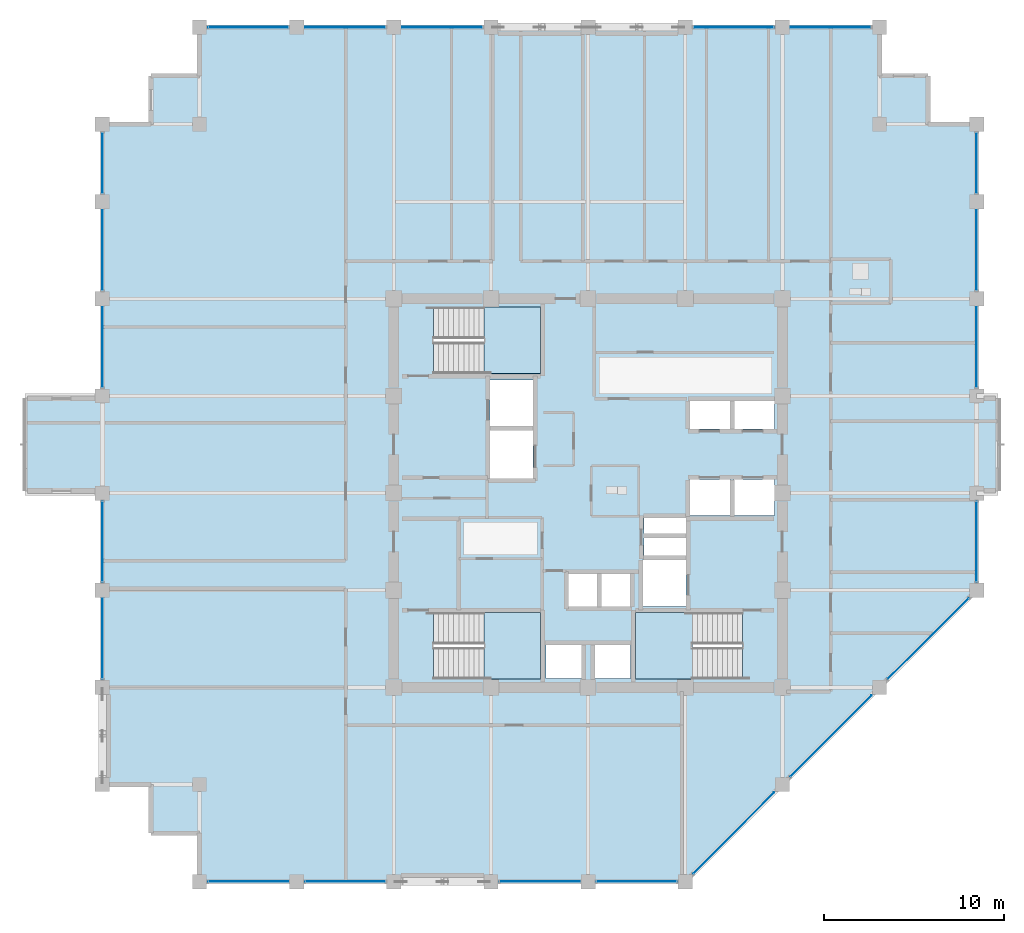
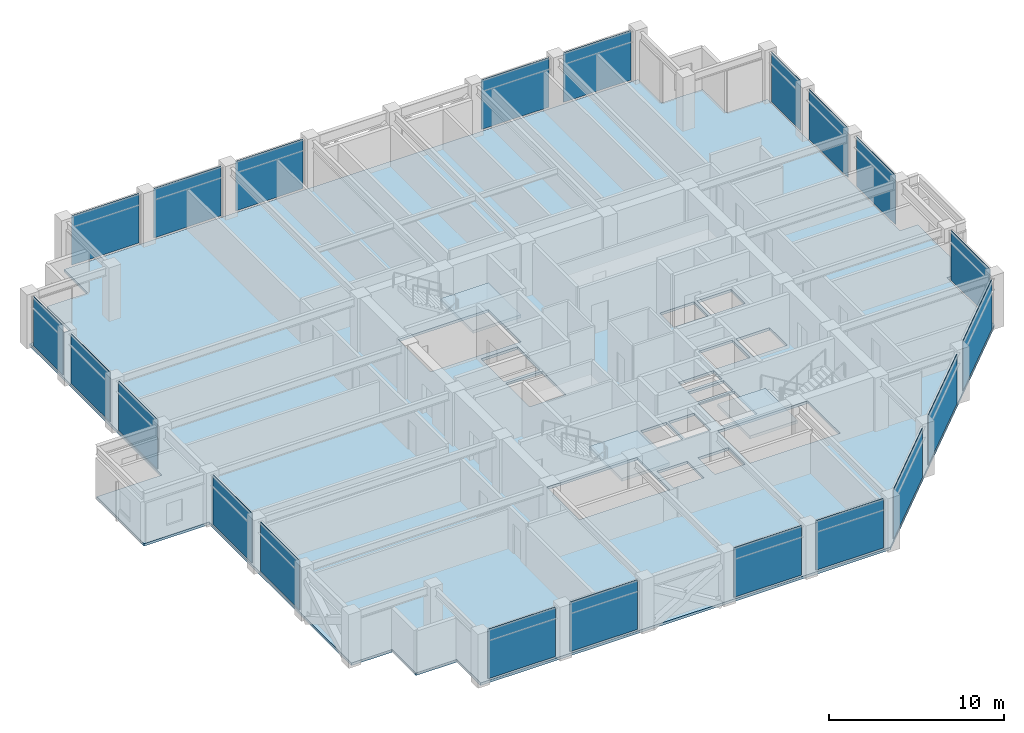
# One storey, part 21 of 28: 21 plates, 4 slabs, 12 elements without a shape of their own.
"""IFC4 building model written with IfcOpenShell, lengths in metres."""

from ifc_helpers import new_model, si_unit, direction, frame, frame_2d, origin, place, context, subcontext, project, spatial, polyline, rectangle, outline, extrude, material, layer, layer_set, type_object, element, aggregate, save


model = new_model("IFC4")

# Units and contexts
model_context = context("Model", 3, precision=1e-05, world=origin(), true_north=direction((0.0, 1.0)))
body_context = subcontext(model_context, "Body", "Model", "MODEL_VIEW")
ifc_project = project(units=[si_unit("LENGTHUNIT", "METRE"), si_unit("AREAUNIT", "SQUARE_METRE"), si_unit("VOLUMEUNIT", "CUBIC_METRE"), si_unit("PLANEANGLEUNIT", "RADIAN"), si_unit("MASSUNIT", "GRAM", prefix="KILO")], contexts=[model_context])

# Site, building, storey
site_placement = place(None, origin())
site = spatial("IfcSite", under=ifc_project, at=site_placement, CompositionType="ELEMENT")
building_placement = place(site_placement, origin())
building = spatial("IfcBuilding", under=site, at=building_placement, Name="Surkhivell Harbour Commons", CompositionType="ELEMENT")
storey_placement = place(building_placement, frame((0.0, 0.0, 242.25)))
storey = spatial("IfcBuildingStorey", under=building, at=storey_placement, Name="L63", CompositionType="ELEMENT", Elevation=242.25)

# Curtain wall, plates
ifc_material_1 = material(Name="Anodised pale-metal aluminium and insulated glazing", Category="aluminium")
ifc_layer_1 = layer(ifc_material_1, 0.18994140625)
ifc_layer_set_1 = layer_set([ifc_layer_1], Name="Anodised pale-metal aluminium and insulated glazing")
curtain_wall_type = type_object("IfcCurtainWallType", Name="CW-SYS-Z3", PredefinedType="NOTDEFINED", material=ifc_layer_set_1)
curtain_wall_1_placement = place(storey_placement, origin())
curtain_wall_1 = element("IfcCurtainWall", 1, at=curtain_wall_1_placement, inside=storey, type_object=curtain_wall_type, Name="L63 Curtain Wall CW-L63-E00S1", PredefinedType="NOTDEFINED")
ifc_material_2 = material(Name="High-pressure typhoon laminated vision glass", Category="glass")
ifc_layer_2 = layer(ifc_material_2, 0.035888671875)
ifc_layer_set_2 = layer_set([ifc_layer_2], Name="High-pressure typhoon laminated vision glass")
plate_type = type_object("IfcPlateType", Name="CWP-GLZ-36", PredefinedType="CURTAIN_PANEL", material=ifc_layer_set_2)
plate_1_placement = place(storey_placement, frame((-21.123046875, -21.60009765625, 0.1298828125), z_axis=(0.0, 0.0, 1.0), x_axis=(1.0, 0.0, 0.0)))
plate_1 = element("IfcPlate", 2, at=plate_1_placement, type_object=plate_type, Name="CW-Z3 panel 1.1", PredefinedType="CURTAIN_PANEL", context=body_context, shape_type="SweptSolid", body=[
    extrude(rectangle(XDim=4.446044921875, YDim=0.035888671875, at=frame_2d((2.22314453125, 0.0))), origin(), (0.0, 0.0, 1.0), 3.440185546875),
])
plate_2_placement = place(storey_placement, frame((-15.722900390625, -21.60009765625, 0.1298828125), z_axis=(0.0, 0.0, 1.0), x_axis=(1.0, 0.0, 0.0)))
plate_2 = element("IfcPlate", 3, at=plate_2_placement, type_object=plate_type, Name="CW-Z3 panel 2.1", PredefinedType="CURTAIN_PANEL", context=body_context, shape_type="SweptSolid", body=[
    extrude(rectangle(XDim=4.44580078125, YDim=0.035888671875, at=frame_2d((2.222900390625, 0.0))), origin(), (0.0, 0.0, 1.0), 3.440185546875),
])
aggregate(curtain_wall_1, [plate_1, plate_2])

curtain_wall_2_placement = place(storey_placement, origin())
curtain_wall_2 = element("IfcCurtainWall", 4, at=curtain_wall_2_placement, inside=storey, type_object=curtain_wall_type, Name="L63 Curtain Wall CW-L63-E00S2", PredefinedType="NOTDEFINED")
plate_3_placement = place(storey_placement, frame((-4.923095703125, -21.60009765625, 0.1298828125), z_axis=(0.0, 0.0, 1.0), x_axis=(1.0, 0.0, 0.0)))
plate_3 = element("IfcPlate", 5, at=plate_3_placement, type_object=plate_type, Name="CW-Z3 panel 1.1", PredefinedType="CURTAIN_PANEL", context=body_context, shape_type="SweptSolid", body=[
    extrude(rectangle(XDim=4.446044921875, YDim=0.035888671875, at=frame_2d((2.22314453125, 0.0))), origin(), (0.0, 0.0, 1.0), 3.440185546875),
])
plate_4_placement = place(storey_placement, frame((0.47705078125, -21.60009765625, 0.1298828125), z_axis=(0.0, 0.0, 1.0), x_axis=(1.0, 0.0, 0.0)))
plate_4 = element("IfcPlate", 6, at=plate_4_placement, type_object=plate_type, Name="CW-Z3 panel 2.1", PredefinedType="CURTAIN_PANEL", context=body_context, shape_type="SweptSolid", body=[
    extrude(rectangle(XDim=4.446044921875, YDim=0.035888671875, at=frame_2d((2.22314453125, 0.0))), origin(), (0.0, 0.0, 1.0), 3.440185546875),
])
aggregate(curtain_wall_2, [plate_3, plate_4])

curtain_wall_3_placement = place(storey_placement, origin())
curtain_wall_3 = element("IfcCurtainWall", 7, at=curtain_wall_3_placement, inside=storey, type_object=curtain_wall_type, Name="L63 Curtain Wall CW-L63-E01", PredefinedType="NOTDEFINED")
plate_5_placement = place(storey_placement, frame((5.854736328125, -21.145263671875, 0.1298828125), z_axis=(0.0, 0.0, 1.0), x_axis=(0.707106781187, 0.707106781187, 0.0)))
plate_5 = element("IfcPlate", 8, at=plate_5_placement, type_object=plate_type, Name="CW-Z3 panel 1.1", PredefinedType="CURTAIN_PANEL", context=body_context, shape_type="SweptSolid", body=[
    extrude(rectangle(XDim=6.3505859375, YDim=0.035888671875, at=frame_2d((3.17529296875, 0.0))), origin(), (0.0, 0.0, 1.0), 3.440185546875),
])
plate_6_placement = place(storey_placement, frame((11.254638671875, -15.745361328125, 0.1298828125), z_axis=(0.0, 0.0, 1.0), x_axis=(0.707106781187, 0.707106781187, 0.0)))
plate_6 = element("IfcPlate", 9, at=plate_6_placement, type_object=plate_type, Name="CW-Z3 panel 2.1", PredefinedType="CURTAIN_PANEL", context=body_context, shape_type="SweptSolid", body=[
    extrude(rectangle(XDim=6.350830078125, YDim=0.035888671875, at=frame_2d((3.17529296875, 0.0))), origin(), (0.0, 0.0, 1.0), 3.440185546875),
])
plate_7_placement = place(storey_placement, frame((16.65478515625, -10.34521484375, 0.1298828125), z_axis=(0.0, 0.0, 1.0), x_axis=(0.707106781187, 0.707106781187, 0.0)))
plate_7 = element("IfcPlate", 10, at=plate_7_placement, type_object=plate_type, Name="CW-Z3 panel 3.1", PredefinedType="CURTAIN_PANEL", context=body_context, shape_type="SweptSolid", body=[
    extrude(rectangle(XDim=6.3505859375, YDim=0.035888671875, at=frame_2d((3.17529296875, 0.0))), origin(), (0.0, 0.0, 1.0), 3.440185546875),
])
aggregate(curtain_wall_3, [plate_5, plate_6, plate_7])

# Curtain wall, plate
curtain_wall_4_placement = place(storey_placement, origin())
curtain_wall_4 = element("IfcCurtainWall", 11, at=curtain_wall_4_placement, inside=storey, type_object=curtain_wall_type, Name="L63 Curtain Wall CW-L63-E02R1", PredefinedType="NOTDEFINED")
plate_8_placement = place(storey_placement, frame((21.60009765625, -4.923095703125, 0.1298828125), z_axis=(0.0, 0.0, 1.0), x_axis=(0.0, 1.0, 0.0)))
plate_8 = element("IfcPlate", 12, at=plate_8_placement, type_object=plate_type, Name="CW-Z3 panel 1.1", PredefinedType="CURTAIN_PANEL", context=body_context, shape_type="SweptSolid", body=[
    extrude(rectangle(XDim=4.446044921875, YDim=0.035888671875, at=frame_2d((2.22314453125, 0.0))), origin(), (0.0, 0.0, 1.0), 3.440185546875),
])
aggregate(curtain_wall_4, [plate_8])

# Curtain wall, plates
curtain_wall_5_placement = place(storey_placement, origin())
curtain_wall_5 = element("IfcCurtainWall", 13, at=curtain_wall_5_placement, inside=storey, type_object=curtain_wall_type, Name="L63 Curtain Wall CW-L63-E02R2", PredefinedType="NOTDEFINED")
plate_9_placement = place(storey_placement, frame((21.60009765625, 5.876953125, 0.1298828125), z_axis=(0.0, 0.0, 1.0), x_axis=(0.0, 1.0, 0.0)))
plate_9 = element("IfcPlate", 14, at=plate_9_placement, type_object=plate_type, Name="CW-Z3 panel 1.1", PredefinedType="CURTAIN_PANEL", context=body_context, shape_type="SweptSolid", body=[
    extrude(rectangle(XDim=4.446044921875, YDim=0.035888671875, at=frame_2d((2.22314453125, 0.0))), origin(), (0.0, 0.0, 1.0), 3.440185546875),
])
plate_10_placement = place(storey_placement, frame((21.60009765625, 11.277099609375, 0.1298828125), z_axis=(0.0, 0.0, 1.0), x_axis=(0.0, 1.0, 0.0)))
plate_10 = element("IfcPlate", 15, at=plate_10_placement, type_object=plate_type, Name="CW-Z3 panel 2.1", PredefinedType="CURTAIN_PANEL", context=body_context, shape_type="SweptSolid", body=[
    extrude(rectangle(XDim=4.44580078125, YDim=0.035888671875, at=frame_2d((2.222900390625, 0.0))), origin(), (0.0, 0.0, 1.0), 3.440185546875),
])
plate_11_placement = place(storey_placement, frame((21.60009765625, 16.677001953125, 0.1298828125), z_axis=(0.0, 0.0, 1.0), x_axis=(0.0, 1.0, 0.0)))
plate_11 = element("IfcPlate", 16, at=plate_11_placement, type_object=plate_type, Name="CW-Z3 panel 3.1", PredefinedType="CURTAIN_PANEL", context=body_context, shape_type="SweptSolid", body=[
    extrude(rectangle(XDim=3.345947265625, YDim=0.035888671875, at=frame_2d((1.6728515625, 0.0))), origin(), (0.0, 0.0, 1.0), 3.440185546875),
])
aggregate(curtain_wall_5, [plate_9, plate_10, plate_11])

curtain_wall_6_placement = place(storey_placement, origin())
curtain_wall_6 = element("IfcCurtainWall", 17, at=curtain_wall_6_placement, inside=storey, type_object=curtain_wall_type, Name="L63 Curtain Wall CW-L63-E07S1", PredefinedType="NOTDEFINED")
plate_12_placement = place(storey_placement, frame((15.722900390625, 25.89990234375, 0.1298828125), z_axis=(0.0, 0.0, 1.0), x_axis=(-1.0, 0.0, 0.0)))
plate_12 = element("IfcPlate", 18, at=plate_12_placement, type_object=plate_type, Name="CW-Z3 panel 1.1", PredefinedType="CURTAIN_PANEL", context=body_context, shape_type="SweptSolid", body=[
    extrude(rectangle(XDim=4.44580078125, YDim=0.035888671875, at=frame_2d((2.222900390625, 0.0))), origin(), (0.0, 0.0, 1.0), 3.440185546875),
])
plate_13_placement = place(storey_placement, frame((10.322998046875, 25.89990234375, 0.1298828125), z_axis=(0.0, 0.0, 1.0), x_axis=(-1.0, 0.0, 0.0)))
plate_13 = element("IfcPlate", 19, at=plate_13_placement, type_object=plate_type, Name="CW-Z3 panel 2.1", PredefinedType="CURTAIN_PANEL", context=body_context, shape_type="SweptSolid", body=[
    extrude(rectangle(XDim=4.446044921875, YDim=0.035888671875, at=frame_2d((2.22314453125, 0.0))), origin(), (0.0, 0.0, 1.0), 3.440185546875),
])
aggregate(curtain_wall_6, [plate_12, plate_13])

curtain_wall_7_placement = place(storey_placement, origin())
curtain_wall_7 = element("IfcCurtainWall", 20, at=curtain_wall_7_placement, inside=storey, type_object=curtain_wall_type, Name="L63 Curtain Wall CW-L63-E07S2", PredefinedType="NOTDEFINED")
plate_14_placement = place(storey_placement, frame((-5.876953125, 25.89990234375, 0.1298828125), z_axis=(0.0, 0.0, 1.0), x_axis=(-1.0, 0.0, 0.0)))
plate_14 = element("IfcPlate", 21, at=plate_14_placement, type_object=plate_type, Name="CW-Z3 panel 1.1", PredefinedType="CURTAIN_PANEL", context=body_context, shape_type="SweptSolid", body=[
    extrude(rectangle(XDim=4.446044921875, YDim=0.035888671875, at=frame_2d((2.22314453125, 0.0))), origin(), (0.0, 0.0, 1.0), 3.440185546875),
])
plate_15_placement = place(storey_placement, frame((-11.277099609375, 25.89990234375, 0.1298828125), z_axis=(0.0, 0.0, 1.0), x_axis=(-1.0, 0.0, 0.0)))
plate_15 = element("IfcPlate", 22, at=plate_15_placement, type_object=plate_type, Name="CW-Z3 panel 2.1", PredefinedType="CURTAIN_PANEL", context=body_context, shape_type="SweptSolid", body=[
    extrude(rectangle(XDim=4.44580078125, YDim=0.035888671875, at=frame_2d((2.222900390625, 0.0))), origin(), (0.0, 0.0, 1.0), 3.440185546875),
])
plate_16_placement = place(storey_placement, frame((-16.677001953125, 25.89990234375, 0.1298828125), z_axis=(0.0, 0.0, 1.0), x_axis=(-1.0, 0.0, 0.0)))
plate_16 = element("IfcPlate", 23, at=plate_16_placement, type_object=plate_type, Name="CW-Z3 panel 3.1", PredefinedType="CURTAIN_PANEL", context=body_context, shape_type="SweptSolid", body=[
    extrude(rectangle(XDim=4.446044921875, YDim=0.035888671875, at=frame_2d((2.22314453125, 0.0))), origin(), (0.0, 0.0, 1.0), 3.440185546875),
])
aggregate(curtain_wall_7, [plate_14, plate_15, plate_16])

curtain_wall_8_placement = place(storey_placement, origin())
curtain_wall_8 = element("IfcCurtainWall", 24, at=curtain_wall_8_placement, inside=storey, type_object=curtain_wall_type, Name="L63 Curtain Wall CW-L63-E12R1S1", PredefinedType="NOTDEFINED")
plate_17_placement = place(storey_placement, frame((-27.0, -10.322998046875, 0.1298828125), z_axis=(0.0, 0.0, 1.0), x_axis=(0.0, 1.0, 0.0)))
plate_17 = element("IfcPlate", 25, at=plate_17_placement, type_object=plate_type, Name="CW-Z3 panel 1.1", PredefinedType="CURTAIN_PANEL", context=body_context, shape_type="SweptSolid", body=[
    extrude(rectangle(XDim=4.446044921875, YDim=0.035888671875, at=frame_2d((2.22314453125, 0.0))), origin(), (0.0, 0.0, 1.0), 3.440185546875),
])
plate_18_placement = place(storey_placement, frame((-27.0, -4.923095703125, 0.1298828125), z_axis=(0.0, 0.0, 1.0), x_axis=(0.0, 1.0, 0.0)))
plate_18 = element("IfcPlate", 26, at=plate_18_placement, type_object=plate_type, Name="CW-Z3 panel 2.1", PredefinedType="CURTAIN_PANEL", context=body_context, shape_type="SweptSolid", body=[
    extrude(rectangle(XDim=4.446044921875, YDim=0.035888671875, at=frame_2d((2.22314453125, 0.0))), origin(), (0.0, 0.0, 1.0), 3.440185546875),
])
aggregate(curtain_wall_8, [plate_17, plate_18])

curtain_wall_9_placement = place(storey_placement, origin())
curtain_wall_9 = element("IfcCurtainWall", 27, at=curtain_wall_9_placement, inside=storey, type_object=curtain_wall_type, Name="L63 Curtain Wall CW-L63-E12R2", PredefinedType="NOTDEFINED")
plate_19_placement = place(storey_placement, frame((-27.0, 5.876953125, 0.1298828125), z_axis=(0.0, 0.0, 1.0), x_axis=(0.0, 1.0, 0.0)))
plate_19 = element("IfcPlate", 28, at=plate_19_placement, type_object=plate_type, Name="CW-Z3 panel 1.1", PredefinedType="CURTAIN_PANEL", context=body_context, shape_type="SweptSolid", body=[
    extrude(rectangle(XDim=4.446044921875, YDim=0.035888671875, at=frame_2d((2.22314453125, 0.0))), origin(), (0.0, 0.0, 1.0), 3.440185546875),
])
plate_20_placement = place(storey_placement, frame((-27.0, 11.277099609375, 0.1298828125), z_axis=(0.0, 0.0, 1.0), x_axis=(0.0, 1.0, 0.0)))
plate_20 = element("IfcPlate", 29, at=plate_20_placement, type_object=plate_type, Name="CW-Z3 panel 2.1", PredefinedType="CURTAIN_PANEL", context=body_context, shape_type="SweptSolid", body=[
    extrude(rectangle(XDim=4.44580078125, YDim=0.035888671875, at=frame_2d((2.222900390625, 0.0))), origin(), (0.0, 0.0, 1.0), 3.440185546875),
])
plate_21_placement = place(storey_placement, frame((-27.0, 16.677001953125, 0.1298828125), z_axis=(0.0, 0.0, 1.0), x_axis=(0.0, 1.0, 0.0)))
plate_21 = element("IfcPlate", 30, at=plate_21_placement, type_object=plate_type, Name="CW-Z3 panel 3.1", PredefinedType="CURTAIN_PANEL", context=body_context, shape_type="SweptSolid", body=[
    extrude(rectangle(XDim=3.345947265625, YDim=0.035888671875, at=frame_2d((1.6728515625, 0.0))), origin(), (0.0, 0.0, 1.0), 3.440185546875),
])
aggregate(curtain_wall_9, [plate_19, plate_20, plate_21])

# Stair, slab
ifc_material_3 = material(Name="Precast concrete C45/55", Category="concrete")
stair_type = type_object("IfcStairType", Name="STR-DL-375", PredefinedType="HALF_TURN_STAIR", material=ifc_material_3)
stair_1_placement = place(storey_placement, origin())
stair_1 = element("IfcStair", 31, at=stair_1_placement, inside=storey, type_object=stair_type, Name="L63 Core Exit Stair ST1", PredefinedType="HALF_TURN_STAIR")
ifc_material_4 = material(Name="Reinforced concrete C45/55", Category="concrete")
ifc_layer_3 = layer(ifc_material_4, 0.199951171875)
ifc_layer_set_3 = layer_set([ifc_layer_3], Name="Reinforced concrete C45/55")
slab_type_1 = type_object("IfcSlabType", Name="SLB-ST-LND200", PredefinedType="LANDING", material=ifc_layer_set_3)
slab_1_placement = place(storey_placement, frame((0.0, 0.0, 1.675048828125)))
slab_1 = element("IfcSlab", 32, at=slab_1_placement, type_object=slab_type_1, Name="ST1 landing 1", PredefinedType="LANDING", context=body_context, shape_type="SweptSolid", body=[
    extrude(outline(polyline([(-5.7900390625, 6.639892578125), (-2.639892578125, 6.639892578125), (-2.639892578125, 10.340087890625), (-5.7900390625, 10.340087890625), (-5.7900390625, 6.639892578125)])), origin(), (0.0, 0.0, 1.0), 0.199951171875),
])
aggregate(stair_1, [slab_1])

stair_2_placement = place(storey_placement, origin())
stair_2 = element("IfcStair", 33, at=stair_2_placement, inside=storey, type_object=stair_type, Name="L63 Core Exit Stair ST2", PredefinedType="HALF_TURN_STAIR")
slab_2_placement = place(storey_placement, frame((0.0, 0.0, 1.675048828125)))
slab_2 = element("IfcSlab", 34, at=slab_2_placement, type_object=slab_type_1, Name="ST2 landing 1", PredefinedType="LANDING", context=body_context, shape_type="SweptSolid", body=[
    extrude(outline(polyline([(5.7900390625, -6.639892578125), (2.639892578125, -6.639892578125), (2.639892578125, -10.340087890625), (5.7900390625, -10.340087890625), (5.7900390625, -6.639892578125)])), origin(), (0.0, 0.0, 1.0), 0.199951171875),
])
aggregate(stair_2, [slab_2])

stair_3_placement = place(storey_placement, origin())
stair_3 = element("IfcStair", 35, at=stair_3_placement, inside=storey, type_object=stair_type, Name="L63 Core Exit Stair ST3", PredefinedType="HALF_TURN_STAIR")
slab_3_placement = place(storey_placement, frame((0.0, 0.0, 1.675048828125)))
slab_3 = element("IfcSlab", 36, at=slab_3_placement, type_object=slab_type_1, Name="ST3 landing 1", PredefinedType="LANDING", context=body_context, shape_type="SweptSolid", body=[
    extrude(outline(polyline([(-5.7900390625, -10.340087890625), (-2.639892578125, -10.340087890625), (-2.639892578125, -6.639892578125), (-5.7900390625, -6.639892578125), (-5.7900390625, -10.340087890625)])), origin(), (0.0, 0.0, 1.0), 0.199951171875),
])
aggregate(stair_3, [slab_3])

# Slab
ifc_material_5 = material(Name="Concrete C45/55", Category="concrete")
ifc_layer_4 = layer(ifc_material_5, 0.179931640625)
ifc_layer_set_4 = layer_set([ifc_layer_4], Name="Concrete C45/55")
slab_type_2 = type_object("IfcSlabType", Name="SLB-TYP-180", PredefinedType="FLOOR", material=ifc_layer_set_4)
slab_4_placement = place(storey_placement, frame((0.0, 0.0, -0.179931640625)))
element("IfcSlab", 37, at=slab_4_placement, inside=storey, type_object=slab_type_2, Name="L63 Structural Floor Slab", PredefinedType="FLOOR", context=body_context, shape_type="SweptSolid", body=[
    extrude(outline(polyline([(-27.0, 20.5), (-27.0, 5.39990234375), (-31.300048828125, 5.39990234375), (-31.300048828125, 0.0), (-27.0, 0.0), (-27.0, -16.199951171875), (-24.300048828125, -16.199951171875), (-24.300048828125, -18.89990234375), (-21.60009765625, -18.89990234375), (-21.60009765625, -21.60009765625), (5.39990234375, -21.60009765625), (21.60009765625, -5.39990234375), (21.60009765625, 0.0), (22.800048828125, 0.0), (22.800048828125, 5.39990234375), (21.60009765625, 5.39990234375), (21.60009765625, 20.5), (18.89990234375, 20.5), (18.89990234375, 23.199951171875), (16.199951171875, 23.199951171875), (16.199951171875, 25.89990234375), (-21.60009765625, 25.89990234375), (-21.60009765625, 23.199951171875), (-24.300048828125, 23.199951171875), (-24.300048828125, 20.5), (-27.0, 20.5)]), holes=[polyline([(-8.590087890625, 6.639892578125), (-2.639892578125, 6.639892578125), (-2.639892578125, 10.340087890625), (-8.590087890625, 10.340087890625), (-8.590087890625, 6.639892578125)]), polyline([(8.590087890625, -6.639892578125), (2.639892578125, -6.639892578125), (2.639892578125, -10.340087890625), (8.590087890625, -10.340087890625), (8.590087890625, -6.639892578125)]), polyline([(-8.590087890625, -10.340087890625), (-2.639892578125, -10.340087890625), (-2.639892578125, -6.639892578125), (-8.590087890625, -6.639892578125), (-8.590087890625, -10.340087890625)]), polyline([(5.64990234375, 3.550048828125), (7.89990234375, 3.550048828125), (7.89990234375, 5.14990234375), (5.64990234375, 5.14990234375), (5.64990234375, 3.550048828125)]), polyline([(8.10009765625, 3.550048828125), (10.35009765625, 3.550048828125), (10.35009765625, 5.14990234375), (8.10009765625, 5.14990234375), (8.10009765625, 3.550048828125)]), polyline([(5.64990234375, -1.25), (7.89990234375, -1.25), (7.89990234375, 0.75), (5.64990234375, 0.75), (5.64990234375, -1.25)]), polyline([(8.10009765625, -1.25), (10.35009765625, -1.25), (10.35009765625, 0.75), (8.10009765625, 0.75), (8.10009765625, -1.25)]), polyline([(-1.14990234375, -6.35009765625), (0.550048828125, -6.35009765625), (0.550048828125, -4.449951171875), (-1.14990234375, -4.449951171875), (-1.14990234375, -6.35009765625)]), polyline([(0.679931640625, -6.35009765625), (2.3798828125, -6.35009765625), (2.3798828125, -4.449951171875), (0.679931640625, -4.449951171875), (0.679931640625, -6.35009765625)]), polyline([(-2.35009765625, -10.300048828125), (-0.35009765625, -10.300048828125), (-0.35009765625, -8.39990234375), (-2.35009765625, -8.39990234375), (-2.35009765625, -10.300048828125)]), polyline([(0.35009765625, -10.300048828125), (2.35009765625, -10.300048828125), (2.35009765625, -8.39990234375), (0.35009765625, -8.39990234375), (0.35009765625, -10.300048828125)]), polyline([(-5.449951171875, 3.699951171875), (-3.050048828125, 3.699951171875), (-3.050048828125, 6.300048828125), (-5.449951171875, 6.300048828125), (-5.449951171875, 3.699951171875)]), polyline([(3.050048828125, -6.300048828125), (5.449951171875, -6.300048828125), (5.449951171875, -3.699951171875), (3.050048828125, -3.699951171875), (3.050048828125, -6.300048828125)]), polyline([(-5.449951171875, 0.800048828125), (-3.050048828125, 0.800048828125), (-3.050048828125, 3.5), (-5.449951171875, 3.5), (-5.449951171875, 0.800048828125)]), polyline([(3.10009765625, -3.550048828125), (5.449951171875, -3.550048828125), (5.449951171875, -2.47998046875), (3.10009765625, -2.47998046875), (3.10009765625, -3.550048828125)]), polyline([(3.10009765625, -2.280029296875), (5.449951171875, -2.280029296875), (5.449951171875, -1.35009765625), (3.10009765625, -1.35009765625), (3.10009765625, -2.280029296875)])]), origin(), (0.0, 0.0, 1.0), 0.179931640625),
])

save(model, "model.ifc")
